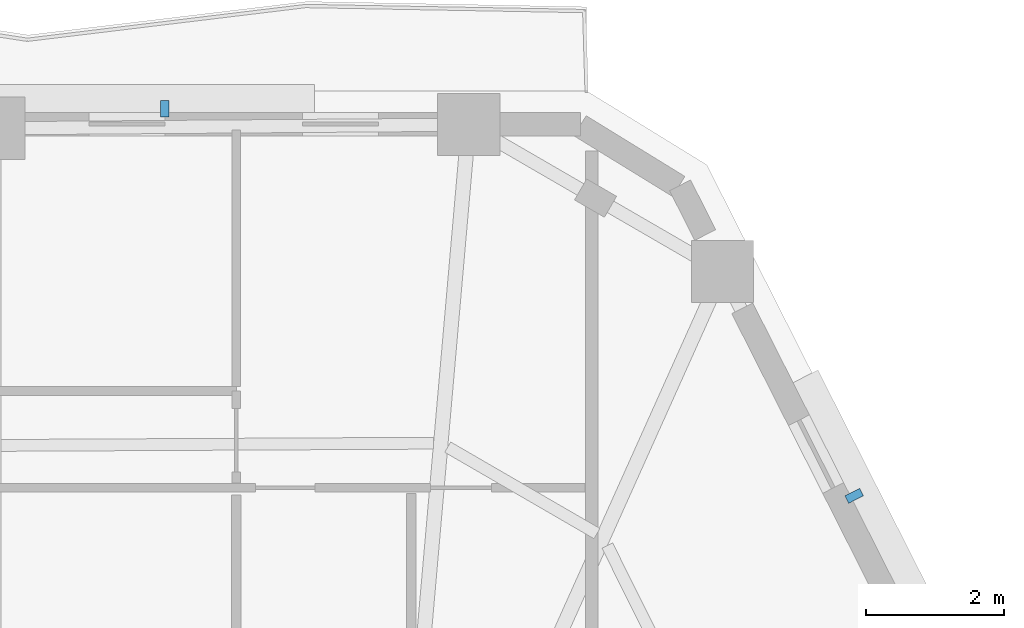
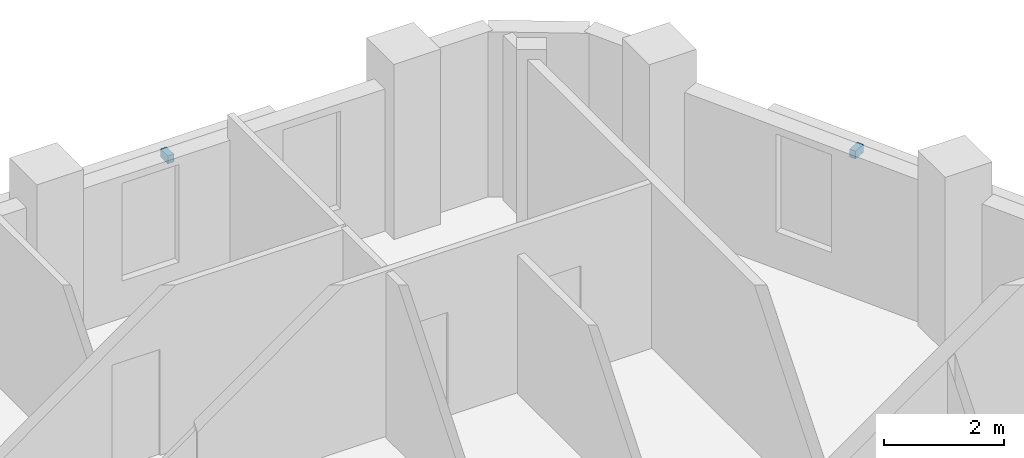
# One storey, part 9 of 12: 2 discrete accessories.
"""IFC4 building model written with IfcOpenShell, lengths in metres."""

from ifc_helpers import new_model, si_unit, direction, frame, origin, origin_2d, place, context, subcontext, project, spatial, rectangle, extrude, material, type_object, element, save


model = new_model("IFC4")

# Units and contexts
model_context = context("Model", 3, precision=1e-05, world=origin(), true_north=direction((0.0, 1.0)))
body_context = subcontext(model_context, "Body", "Model", "MODEL_VIEW")
ifc_project = project(units=[si_unit("LENGTHUNIT", "METRE"), si_unit("AREAUNIT", "SQUARE_METRE"), si_unit("VOLUMEUNIT", "CUBIC_METRE"), si_unit("PLANEANGLEUNIT", "RADIAN"), si_unit("MASSUNIT", "GRAM", prefix="KILO")], contexts=[model_context])

# Site, building, storey
site_placement = place(None, origin())
site = spatial("IfcSite", under=ifc_project, at=site_placement, CompositionType="ELEMENT")
building_placement = place(site_placement, origin())
building = spatial("IfcBuilding", under=site, at=building_placement, Name="Cinnabar Lancet Tower", CompositionType="ELEMENT")
storey_placement = place(building_placement, frame((0.0, 0.0, 186.10009765625)))
storey = spatial("IfcBuildingStorey", under=building, at=storey_placement, Name="L49", CompositionType="ELEMENT", Elevation=186.10009765625)

# Discrete accessories
ifc_material = material(Name="Stainless steel 316 facade fixing bracket", Category="steel")
discrete_accessory_type = type_object("IfcDiscreteAccessoryType", Name="ENV-ACC-BRK-180", PredefinedType="BRACKET", material=ifc_material)
for number, where, z_axis, x_axis, name in (
    (1, (48.403076171875, 40.635009765625, 2.60009765625), (0.0, 0.0, 1.0), (-0.45140713236, 0.892318105193, 0.0), "L49 Face 3 Sunshade Bracket B"),
    (2, (38.4189453125, 46.239990234375, 2.60009765625), (0.0, 0.0, 1.0), (-1.0, 0.0, 0.0), "L49 Face 4 Sunshade Bracket A"),
):
    element("IfcDiscreteAccessory", number, at=place(storey_placement, frame(where, z_axis=z_axis, x_axis=x_axis)), inside=storey, type_object=discrete_accessory_type, Name=name, PredefinedType="BRACKET", context=body_context, shape_type="SweptSolid", body=[
        extrude(rectangle(XDim=0.1201171875, YDim=0.239990234375, at=origin_2d()), origin(), (0.0, 0.0, 1.0), 0.159912109375),
    ])

save(model, "model.ifc")
